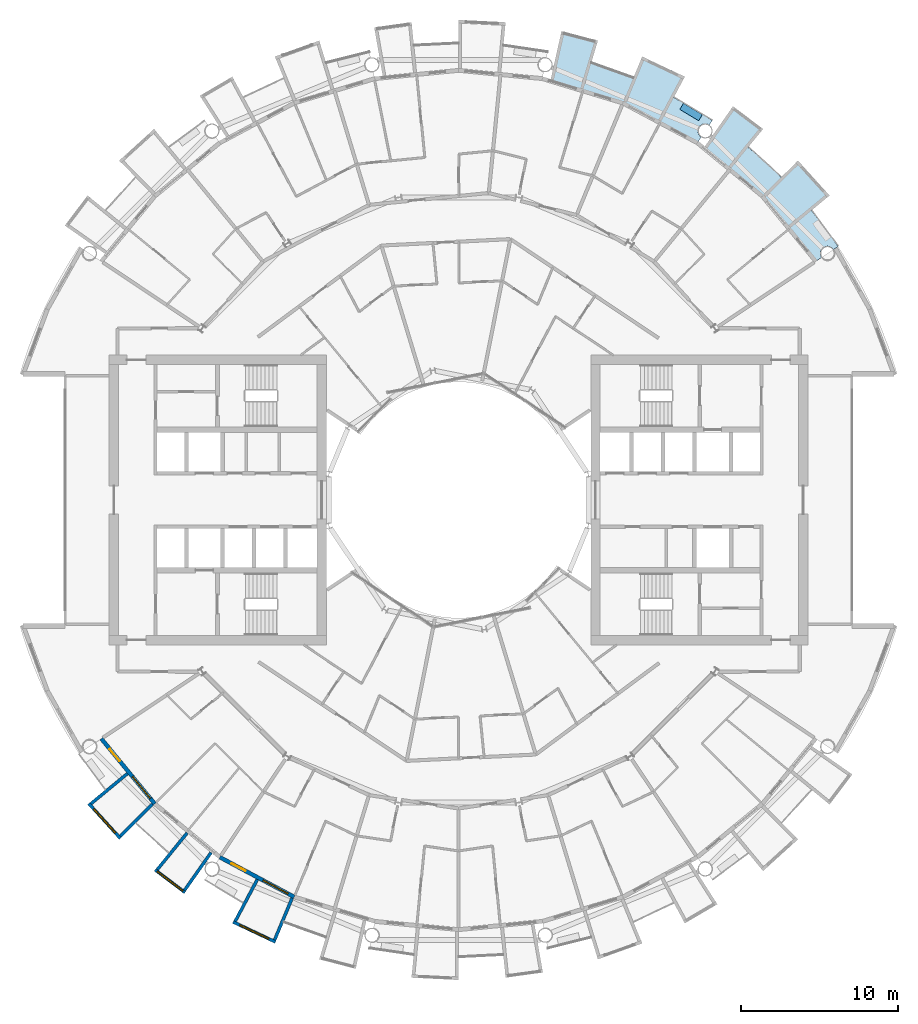
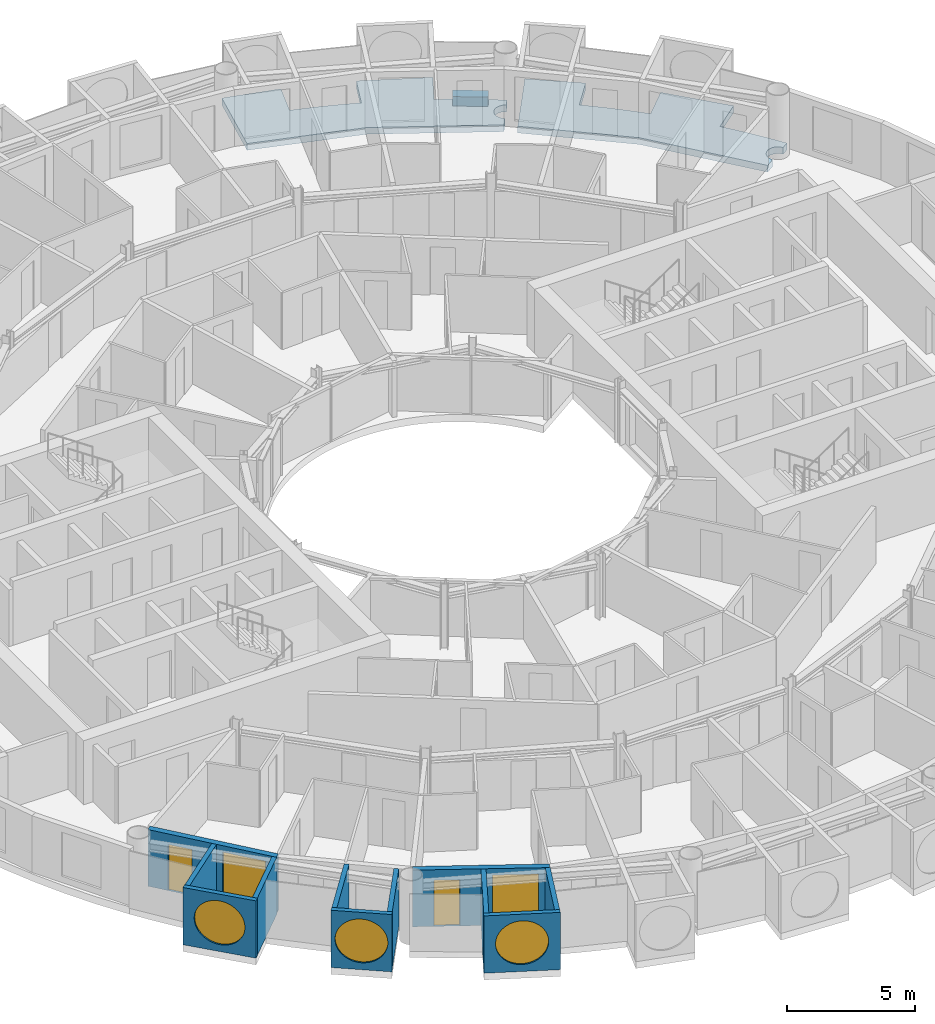
# One storey, part 13 of 27: 11 walls, 5 windows, 3 slabs, 2 doors, 7 openings.
"""IFC4 building model written with IfcOpenShell, lengths in metres."""

import ifcopenshell
import ifcopenshell.guid

model = None  # the IFC model being written
_history = None  # IfcOwnerHistory: only IFC2X3 demands one
_inside = {}  # id of a spatial element -> (the spatial element, [elements in it])
_under = {}  # id of a project, library or spatial element -> (it, [spatial elements below it])
_declared = {}  # id of a project -> (the project, [libraries it declares])
_typed = {}  # id of a type object -> (the type object, [elements of that type])
_made_of = {}  # id of a material, layer set ... -> (it, [elements and type objects made of it])


def new_model(schema):
    """Start an empty IFC model of exactly this schema.

    Asked for "IFC4X3", IfcOpenShell would pick the latest addendum, in which some entities
    have other attributes; the version numbers below select the first issue.
    IFC2X3 requires an IfcOwnerHistory on every rooted entity: one is made here for all.
    """
    global model, _history
    if schema == "IFC4X3":
        model = ifcopenshell.file(schema_version=(4, 3, 0, 0))
    else:
        model = ifcopenshell.file(schema=schema)
    _inside.clear()
    _under.clear()
    _declared.clear()
    _typed.clear()
    _made_of.clear()
    _history = None
    if model.schema == "IFC2X3":
        org = make("IfcOrganization", Name="unknown")
        user = make(
            "IfcPersonAndOrganization",
            ThePerson=make("IfcPerson", FamilyName="unknown"),
            TheOrganization=org,
        )
        app = make(
            "IfcApplication",
            ApplicationDeveloper=org,
            Version="unknown",
            ApplicationFullName="unknown",
            ApplicationIdentifier="unknown",
        )
        _history = make(
            "IfcOwnerHistory",
            OwningUser=user,
            OwningApplication=app,
            ChangeAction="ADDED",
            CreationDate=0,
        )
    return model


def make(cls, **values):
    """One entity of the class cls with the attributes given. An attribute that is None is left unset."""
    return model.create_entity(
        cls, **{name: value for name, value in values.items() if value is not None}
    )


def rooted(cls, **values):
    """An entity with a GlobalId (a new one), such as an element, a storey or a relation."""
    return make(cls, GlobalId=ifcopenshell.guid.new(), OwnerHistory=_history, **values)


def si_unit(unit_type, name, prefix=None):
    """IfcSIUnit, for example si_unit("LENGTHUNIT", "METRE", prefix="MILLI")."""
    return make("IfcSIUnit", UnitType=unit_type, Prefix=prefix, Name=name)


def assignment(units):
    """IfcUnitAssignment: the units of a project."""
    return None if units is None else make("IfcUnitAssignment", Units=units)


def point(xyz):
    """IfcCartesianPoint."""
    return None if xyz is None else make("IfcCartesianPoint", Coordinates=xyz)


def direction(xyz):
    """IfcDirection."""
    return None if xyz is None else make("IfcDirection", DirectionRatios=xyz)


def frame(location, z_axis=None, x_axis=None):
    """IfcAxis2Placement3D, a coordinate frame: its origin and axes. An axis left out is left unset."""
    return make(
        "IfcAxis2Placement3D",
        Location=point(location),
        Axis=direction(z_axis),
        RefDirection=direction(x_axis),
    )


def frame_2d(location, x_axis=None):
    """IfcAxis2Placement2D, a coordinate frame in the plane: its origin and x axis."""
    return make(
        "IfcAxis2Placement2D", Location=point(location), RefDirection=direction(x_axis)
    )


def origin():
    """The frame at (0, 0, 0) with its axes left unset."""
    return frame((0.0, 0.0, 0.0))


def place(relative_to, where):
    """IfcLocalPlacement: puts the frame where relative to a parent placement (None: the world)."""
    return make(
        "IfcLocalPlacement", PlacementRelTo=relative_to, RelativePlacement=where
    )


def context(
    kind, dimensions, precision=None, world=None, true_north=None, identifier=None
):
    """IfcGeometricRepresentationContext, for example the 3D "Model" context."""
    return make(
        "IfcGeometricRepresentationContext",
        ContextIdentifier=identifier,
        ContextType=kind,
        CoordinateSpaceDimension=dimensions,
        Precision=precision,
        WorldCoordinateSystem=world,
        TrueNorth=true_north,
    )


def subcontext(parent, identifier, kind, view, scale=None):
    """IfcGeometricRepresentationSubContext, for example "Body" below "Model"."""
    return make(
        "IfcGeometricRepresentationSubContext",
        ContextIdentifier=identifier,
        ContextType=kind,
        ParentContext=parent,
        TargetScale=scale,
        TargetView=view,
    )


def project(units=None, contexts=None):
    """IfcProject with its units and contexts."""
    return rooted(
        "IfcProject",
        Name="project",
        RepresentationContexts=contexts,
        UnitsInContext=assignment(units),
    )


def spatial(cls, under=None, at=None, **own):
    """A site, building, storey or space (cls), placed at a placement, below another one or the project."""
    s = rooted(cls, ObjectPlacement=at, **own)
    if under is not None:
        _under.setdefault(under.id(), (under, []))[1].append(s)
    return s


def polyline(points):
    """IfcPolyline through the points."""
    return make("IfcPolyline", Points=[point(p) for p in points])


def profile(cls, at=None, kind="AREA", **sizes):
    """A parametric profile (cls). Its sizes go by their IFC names, for example OverallWidth=200.0."""
    return make(cls, ProfileType=kind, Position=at, **sizes)


def rectangle(**sizes):
    """IfcRectangleProfileDef."""
    return profile("IfcRectangleProfileDef", **sizes)


def circle(**sizes):
    """IfcCircleProfileDef."""
    return profile("IfcCircleProfileDef", **sizes)


def outline(outer, holes=None, kind="AREA"):
    """IfcArbitraryClosedProfileDef: a profile drawn as a closed curve; with holes, ...WithVoids."""
    if holes is None:
        return make("IfcArbitraryClosedProfileDef", ProfileType=kind, OuterCurve=outer)
    return make(
        "IfcArbitraryProfileDefWithVoids",
        ProfileType=kind,
        OuterCurve=outer,
        InnerCurves=holes,
    )


def extrude(swept, where, along, depth):
    """IfcExtrudedAreaSolid: the profile swept, set in the frame where, extruded along a direction by depth."""
    return make(
        "IfcExtrudedAreaSolid",
        SweptArea=swept,
        Position=where,
        ExtrudedDirection=direction(along),
        Depth=depth,
    )


def shape(context_of_items, identifier, shape_type, items):
    """IfcShapeRepresentation: the items that make up one representation, for example the "Body"."""
    return make(
        "IfcShapeRepresentation",
        ContextOfItems=context_of_items,
        RepresentationIdentifier=identifier,
        RepresentationType=shape_type,
        Items=items,
    )


def material(Name=None, Category=None):
    """IfcMaterial."""
    return make("IfcMaterial", Name=Name, Category=Category)


def layer(
    of_material, thickness, ventilated=None, Name=None, Category=None, Priority=None
):
    """IfcMaterialLayer: one layer of a wall or slab, of a material (None: an air gap)."""
    return make(
        "IfcMaterialLayer",
        Material=of_material,
        LayerThickness=thickness,
        IsVentilated=ventilated,
        Name=Name,
        Category=Category,
        Priority=Priority,
    )


def layer_set(layers, Name=None):
    """IfcMaterialLayerSet."""
    return make("IfcMaterialLayerSet", MaterialLayers=layers, LayerSetName=Name)


def made_of(thing, what):
    """Note that an element or type object is made of a material, layer set ...; save() writes the relation."""
    if what is not None:
        _made_of.setdefault(what.id(), (what, []))[1].append(thing)
    return thing


def type_object(cls, material=None, **own):
    """A type object (cls), such as IfcWallType, which elements share."""
    return made_of(rooted(cls, **own), material)


def element(
    cls,
    number,
    at=None,
    inside=None,
    cuts=None,
    type_object=None,
    material=None,
    context=None,
    identifier="Body",
    shape_type=None,
    held_by="IfcProductDefinitionShape",
    body=None,
    shapes=None,
    **own,
):
    """One element of the class cls, such as IfcWall. Its Tag is "e" and its number.

    at: its placement. inside: the storey or other place that contains it. cuts: it is an
    opening in that element (IfcRelVoidsElement). A single representation is given by context,
    identifier, shape_type and body (its items); several are given by shapes. held_by: the class
    of the entity that holds the representations. save() writes the other relations.
    """
    e = rooted(cls, Tag="e%d" % number, ObjectPlacement=at, **own)
    if body is not None:
        shapes = [shape(context, identifier, shape_type, body)]
    if shapes is not None:
        e.Representation = make(held_by, Representations=shapes)
    if inside is not None:
        _inside.setdefault(inside.id(), (inside, []))[1].append(e)
    if cuts is not None:
        rooted(
            "IfcRelVoidsElement", RelatingBuildingElement=cuts, RelatedOpeningElement=e
        )
    if type_object is not None:
        _typed.setdefault(type_object.id(), (type_object, []))[1].append(e)
    return made_of(e, material)


def fill(opening, filler):
    """IfcRelFillsElement: the door or window that sits in an opening."""
    return rooted(
        "IfcRelFillsElement",
        RelatingOpeningElement=opening,
        RelatedBuildingElement=filler,
    )


def aggregate(whole, parts):
    """IfcRelAggregates: a whole, such as a stair, and the parts it consists of."""
    return rooted("IfcRelAggregates", RelatingObject=whole, RelatedObjects=parts)


def save(model, path):
    """Write the relations noted so far, then the file.

    IfcRelAggregates (storeys below a building ...), IfcRelContainedInSpatialStructure (elements
    in a storey), IfcRelDefinesByType, IfcRelAssociatesMaterial and IfcRelDeclares: one each for
    every whole, place, type object, material and project.
    """
    for whole, parts in _under.values():
        aggregate(whole, parts)
    for where, things in _inside.values():
        rooted(
            "IfcRelContainedInSpatialStructure",
            RelatedElements=things,
            RelatingStructure=where,
        )
    for kind, things in _typed.values():
        rooted("IfcRelDefinesByType", RelatedObjects=things, RelatingType=kind)
    for what, things in _made_of.values():
        rooted("IfcRelAssociatesMaterial", RelatedObjects=things, RelatingMaterial=what)
    for by, libraries in _declared.values():
        rooted("IfcRelDeclares", RelatingContext=by, RelatedDefinitions=libraries)
    model.write(path)


model = new_model("IFC4")

# Units and contexts
model_context = context("Model", 3, precision=1e-05, world=origin(), true_north=direction((0.0, 1.0)))
body_context = subcontext(model_context, "Body", "Model", "MODEL_VIEW")
ifc_project = project(units=[si_unit("LENGTHUNIT", "METRE"), si_unit("AREAUNIT", "SQUARE_METRE"), si_unit("VOLUMEUNIT", "CUBIC_METRE"), si_unit("PLANEANGLEUNIT", "RADIAN"), si_unit("MASSUNIT", "GRAM", prefix="KILO")], contexts=[model_context])

# Site, building, storey
site_placement = place(None, origin())
site = spatial("IfcSite", under=ifc_project, at=site_placement, CompositionType="ELEMENT")
building_placement = place(site_placement, origin())
building = spatial("IfcBuilding", under=site, at=building_placement, Name="Maasbend Ring Residences", CompositionType="ELEMENT")
storey_placement = place(building_placement, frame((0.0, 0.0, 126.89990234375)))
storey = spatial("IfcBuildingStorey", under=building, at=storey_placement, Name="L36", CompositionType="ELEMENT", Elevation=126.89990234375)

# Slabs
ifc_material_1 = material(Name="Planting with climbing greenery")
ifc_layer_1 = layer(ifc_material_1, 0.449951171875)
ifc_layer_set_1 = layer_set([ifc_layer_1], Name="PLANTER-LG")
slab_type_1 = type_object("IfcSlabType", Name="PLANTER-LG", PredefinedType="USERDEFINED", material=ifc_layer_set_1)
slab_1_placement = place(storey_placement, frame((0.0, 0.0, -0.02978515625)))
element("IfcSlab", 1, at=slab_1_placement, inside=storey, type_object=slab_type_1, Name="Planter with climbing greenery 2", ObjectType="PLANTER", PredefinedType="USERDEFINED", context=body_context, shape_type="SweptSolid", body=[
    extrude(outline(polyline([(15.490966796875, 24.48388671875), (14.291015625, 25.2041015625), (14.05908203125, 24.818115234375), (15.260009765625, 24.097900390625), (15.490966796875, 24.48388671875)])), origin(), (0.0, 0.0, 1.0), 0.449951171875),
])
ifc_material_2 = material(Name="Concrete C40/50", Category="concrete")
ifc_layer_2 = layer(ifc_material_2, 0.199951171875)
ifc_layer_set_2 = layer_set([ifc_layer_2], Name="Concrete C40/50")
slab_type_2 = type_object("IfcSlabType", Name="SL-LOGGIA", PredefinedType="FLOOR", material=ifc_layer_set_2)
slab_2_placement = place(storey_placement, frame((0.0, 0.0, -0.349853515625)))
element("IfcSlab", 2, at=slab_2_placement, inside=storey, type_object=slab_type_2, Name="Loggia floor 1", PredefinedType="FLOOR", context=body_context, shape_type="SweptSolid", body=[
    extrude(outline(polyline([(8.85400390625, 29.18701171875), (8.85400390625, 29.18701171875), (8.85400390625, 29.18701171875), (8.41796875, 27.751953125), (8.41796875, 27.751953125), (8.41796875, 27.751953125), (8.41796875, 27.751953125), (8.41796875, 27.751953125), (8.41796875, 27.751953125), (8.41796875, 27.7509765625), (8.41796875, 27.7509765625), (8.41796875, 27.7509765625), (8.41796875, 27.7509765625), (8.41796875, 27.7509765625), (8.4189453125, 27.7509765625), (8.4189453125, 27.7509765625), (8.4189453125, 27.7509765625), (8.4189453125, 27.7509765625), (8.4189453125, 27.7509765625), (8.4189453125, 27.7509765625), (9.322021484375, 27.4609375), (9.322021484375, 27.4609375), (10.215087890625, 27.14111328125), (10.215087890625, 27.14111328125), (11.096923828125, 26.79296875), (11.096923828125, 26.79296875), (11.096923828125, 26.79296875), (11.097900390625, 26.79296875), (11.097900390625, 26.79296875), (11.097900390625, 26.79296875), (11.097900390625, 26.79296875), (11.097900390625, 26.79296875), (11.097900390625, 26.79296875), (11.097900390625, 26.79296875), (11.097900390625, 26.79296875), (11.097900390625, 26.79296875), (11.097900390625, 26.79296875), (11.097900390625, 26.79296875), (11.097900390625, 26.79296875), (11.097900390625, 26.79296875), (11.097900390625, 26.79296875), (11.672119140625, 28.177978515625), (11.672119140625, 28.177978515625), (11.672119140625, 28.177978515625), (14.3779296875, 26.89892578125), (14.3779296875, 26.89892578125), (14.3779296875, 26.89892578125), (13.6708984375, 25.575927734375), (13.6708984375, 25.575927734375), (13.6708984375, 25.575927734375), (13.6708984375, 25.575927734375), (13.6708984375, 25.575927734375), (13.6708984375, 25.575927734375), (13.6708984375, 25.575927734375), (13.6708984375, 25.575927734375), (13.6708984375, 25.575927734375), (13.6708984375, 25.575927734375), (13.6708984375, 25.575927734375), (13.6708984375, 25.575927734375), (13.6708984375, 25.575927734375), (13.6708984375, 25.575927734375), (13.6708984375, 25.575927734375), (13.6708984375, 25.575927734375), (13.6708984375, 25.574951171875), (14.5, 25.114990234375), (14.5, 25.114990234375), (15.31396484375, 24.626953125), (15.31396484375, 24.626953125), (16.112060546875, 24.113037109375), (16.112060546875, 24.113037109375), (16.112060546875, 24.113037109375), (15.9208984375, 23.826904296875), (15.912109375, 23.8330078125), (15.902099609375, 23.839111328125), (15.89208984375, 23.844970703125), (15.883056640625, 23.85009765625), (15.873046875, 23.85595703125), (15.862060546875, 23.861083984375), (15.85205078125, 23.864990234375), (15.842041015625, 23.8701171875), (15.83203125, 23.8740234375), (15.821044921875, 23.8779296875), (15.81005859375, 23.881103515625), (15.800048828125, 23.885009765625), (15.7890625, 23.887939453125), (15.778076171875, 23.89111328125), (15.76708984375, 23.89306640625), (15.756103515625, 23.89599609375), (15.7451171875, 23.89794921875), (15.73388671875, 23.89892578125), (15.722900390625, 23.90087890625), (15.7119140625, 23.902099609375), (15.700927734375, 23.903076171875), (15.68994140625, 23.904052734375), (15.677978515625, 23.904052734375), (15.6669921875, 23.904052734375), (15.656005859375, 23.904052734375), (15.64501953125, 23.904052734375), (15.633056640625, 23.903076171875), (15.6220703125, 23.902099609375), (15.611083984375, 23.90087890625), (15.60009765625, 23.89892578125), (15.589111328125, 23.89794921875), (15.577880859375, 23.89599609375), (15.56689453125, 23.89306640625), (15.555908203125, 23.89111328125), (15.544921875, 23.887939453125), (15.533935546875, 23.885009765625), (15.52392578125, 23.881103515625), (15.512939453125, 23.8779296875), (15.5029296875, 23.8740234375), (15.491943359375, 23.8701171875), (15.48193359375, 23.864990234375), (15.471923828125, 23.861083984375), (15.4619140625, 23.85595703125), (15.451904296875, 23.85009765625), (15.44189453125, 23.844970703125), (15.431884765625, 23.839111328125), (15.423095703125, 23.8330078125), (15.4130859375, 23.826904296875), (15.404052734375, 23.821044921875), (15.39501953125, 23.81396484375), (15.385986328125, 23.80810546875), (15.376953125, 23.801025390625), (15.368896484375, 23.79296875), (15.360107421875, 23.785888671875), (15.35205078125, 23.778076171875), (15.343994140625, 23.77099609375), (15.3359375, 23.762939453125), (15.327880859375, 23.75390625), (15.321044921875, 23.74609375), (15.31396484375, 23.737060546875), (15.306884765625, 23.72900390625), (15.300048828125, 23.719970703125), (15.29296875, 23.7109375), (15.287109375, 23.700927734375), (15.281005859375, 23.69189453125), (15.27490234375, 23.681884765625), (15.26904296875, 23.673095703125), (15.263916015625, 23.6630859375), (15.259033203125, 23.653076171875), (15.25390625, 23.64306640625), (15.2490234375, 23.633056640625), (15.2451171875, 23.6220703125), (15.240966796875, 23.612060546875), (15.237060546875, 23.60107421875), (15.23291015625, 23.591064453125), (15.22998046875, 23.580078125), (15.22705078125, 23.569091796875), (15.22412109375, 23.55810546875), (15.220947265625, 23.548095703125), (15.218994140625, 23.537109375), (15.217041015625, 23.52587890625), (15.215087890625, 23.513916015625), (15.214111328125, 23.5029296875), (15.2119140625, 23.491943359375), (15.2109375, 23.48095703125), (15.2109375, 23.469970703125), (15.2099609375, 23.458984375), (15.2099609375, 23.447021484375), (15.2099609375, 23.43603515625), (15.2109375, 23.425048828125), (15.2109375, 23.4140625), (15.2119140625, 23.403076171875), (15.214111328125, 23.39111328125), (15.215087890625, 23.3798828125), (15.217041015625, 23.368896484375), (15.218994140625, 23.35791015625), (15.220947265625, 23.346923828125), (15.22412109375, 23.3359375), (15.22705078125, 23.325927734375), (15.22998046875, 23.31494140625), (15.23291015625, 23.303955078125), (15.237060546875, 23.29296875), (15.240966796875, 23.282958984375), (15.2451171875, 23.27294921875), (15.2490234375, 23.261962890625), (15.25390625, 23.251953125), (15.259033203125, 23.241943359375), (15.263916015625, 23.23193359375), (15.26904296875, 23.221923828125), (15.27490234375, 23.2119140625), (15.281005859375, 23.202880859375), (15.287109375, 23.194091796875), (15.29296875, 23.18408203125), (15.300048828125, 23.175048828125), (15.306884765625, 23.166015625), (15.31396484375, 23.156982421875), (15.321044921875, 23.14892578125), (15.327880859375, 23.139892578125), (15.3359375, 23.132080078125), (15.343994140625, 23.1240234375), (15.35205078125, 23.115966796875), (15.360107421875, 23.10888671875), (15.368896484375, 23.10107421875), (15.376953125, 23.093994140625), (15.385986328125, 23.0869140625), (15.39501953125, 23.080078125), (15.404052734375, 23.073974609375), (15.4130859375, 23.06689453125), (15.1669921875, 22.698974609375), (15.1669921875, 22.698974609375), (15.1669921875, 22.698974609375), (12.806884765625, 23.9609375), (10.447021484375, 25.221923828125), (10.447021484375, 25.221923828125), (10.447021484375, 25.221923828125), (7.886962890625, 25.9990234375), (5.843994140625, 26.617919921875), (5.843994140625, 26.617919921875), (5.843994140625, 26.617919921875), (6.5400390625, 29.791015625), (6.5400390625, 29.791015625), (6.5400390625, 29.791015625), (8.85400390625, 29.18701171875)])), origin(), (0.0, 0.0, 1.0), 0.320068359375),
])
slab_3_placement = place(storey_placement, frame((0.0, 0.0, -0.349853515625)))
element("IfcSlab", 3, at=slab_3_placement, inside=storey, type_object=slab_type_2, Name="Loggia floor 4", PredefinedType="FLOOR", context=body_context, shape_type="SweptSolid", body=[
    extrude(outline(polyline([(19.34912109375, 23.576904296875), (19.34912109375, 23.576904296875), (19.34912109375, 23.576904296875), (18.39794921875, 22.41796875), (18.39794921875, 22.41796875), (18.39794921875, 22.41796875), (18.39794921875, 22.41796875), (18.39794921875, 22.41796875), (18.39794921875, 22.4169921875), (18.39794921875, 22.4169921875), (18.39794921875, 22.4169921875), (18.39794921875, 22.4169921875), (18.39794921875, 22.4169921875), (18.39794921875, 22.4169921875), (18.39794921875, 22.4169921875), (18.39794921875, 22.4169921875), (18.39794921875, 22.4169921875), (18.39794921875, 22.4169921875), (18.39794921875, 22.4169921875), (18.39794921875, 22.4169921875), (19.12109375, 21.802978515625), (19.12109375, 21.802978515625), (19.823974609375, 21.166015625), (19.823974609375, 21.166015625), (20.506103515625, 20.506103515625), (20.506103515625, 20.506103515625), (20.506103515625, 20.506103515625), (20.506103515625, 20.506103515625), (20.506103515625, 20.506103515625), (20.506103515625, 20.506103515625), (20.506103515625, 20.506103515625), (20.506103515625, 20.506103515625), (20.506103515625, 20.506103515625), (20.506103515625, 20.506103515625), (20.506103515625, 20.506103515625), (20.506103515625, 20.506103515625), (20.506103515625, 20.506103515625), (20.506103515625, 20.506103515625), (20.506103515625, 20.506103515625), (20.506103515625, 20.506103515625), (20.506103515625, 20.506103515625), (21.56689453125, 21.56689453125), (21.56689453125, 21.56689453125), (21.56689453125, 21.56689453125), (23.576904296875, 19.34912109375), (23.576904296875, 19.34912109375), (23.576904296875, 19.34912109375), (22.41796875, 18.39794921875), (22.41796875, 18.39794921875), (22.41796875, 18.39794921875), (22.41796875, 18.39794921875), (22.41796875, 18.39794921875), (22.41796875, 18.39794921875), (22.41796875, 18.39697265625), (22.41796875, 18.39697265625), (22.41796875, 18.39697265625), (22.41796875, 18.39697265625), (22.41796875, 18.39697265625), (22.41796875, 18.39697265625), (22.41796875, 18.39697265625), (22.41796875, 18.39697265625), (22.41796875, 18.39697265625), (22.41796875, 18.39697265625), (22.41796875, 18.39697265625), (23.007080078125, 17.654052734375), (23.007080078125, 17.654052734375), (23.572998046875, 16.89208984375), (23.572998046875, 16.89208984375), (24.113037109375, 16.112060546875), (24.113037109375, 16.112060546875), (24.113037109375, 16.112060546875), (23.826904296875, 15.9208984375), (23.826904296875, 15.9208984375), (23.821044921875, 15.929931640625), (23.81396484375, 15.93896484375), (23.80810546875, 15.947998046875), (23.801025390625, 15.95703125), (23.79296875, 15.966064453125), (23.785888671875, 15.97412109375), (23.778076171875, 15.98193359375), (23.77099609375, 15.989990234375), (23.762939453125, 15.998046875), (23.75390625, 16.006103515625), (23.74609375, 16.012939453125), (23.737060546875, 16.02001953125), (23.72900390625, 16.027099609375), (23.719970703125, 16.033935546875), (23.7109375, 16.041015625), (23.700927734375, 16.047119140625), (23.69189453125, 16.052978515625), (23.681884765625, 16.05908203125), (23.673095703125, 16.06494140625), (23.6630859375, 16.070068359375), (23.653076171875, 16.074951171875), (23.64306640625, 16.080078125), (23.633056640625, 16.0849609375), (23.6220703125, 16.089111328125), (23.612060546875, 16.093017578125), (23.60107421875, 16.096923828125), (23.591064453125, 16.10107421875), (23.580078125, 16.10400390625), (23.569091796875, 16.10791015625), (23.55810546875, 16.110107421875), (23.548095703125, 16.113037109375), (23.537109375, 16.114990234375), (23.52587890625, 16.116943359375), (23.513916015625, 16.118896484375), (23.5029296875, 16.12109375), (23.491943359375, 16.1220703125), (23.48095703125, 16.123046875), (23.469970703125, 16.1240234375), (23.458984375, 16.1240234375), (23.447021484375, 16.1240234375), (23.43603515625, 16.1240234375), (23.425048828125, 16.1240234375), (23.4140625, 16.123046875), (23.403076171875, 16.1220703125), (23.39111328125, 16.12109375), (23.3798828125, 16.118896484375), (23.368896484375, 16.116943359375), (23.35791015625, 16.114990234375), (23.346923828125, 16.113037109375), (23.3359375, 16.110107421875), (23.325927734375, 16.10791015625), (23.31494140625, 16.10400390625), (23.303955078125, 16.10107421875), (23.29296875, 16.096923828125), (23.282958984375, 16.093017578125), (23.27294921875, 16.089111328125), (23.261962890625, 16.0849609375), (23.251953125, 16.080078125), (23.241943359375, 16.074951171875), (23.23193359375, 16.070068359375), (23.221923828125, 16.06494140625), (23.2119140625, 16.05908203125), (23.202880859375, 16.052978515625), (23.194091796875, 16.047119140625), (23.18408203125, 16.041015625), (23.175048828125, 16.033935546875), (23.166015625, 16.027099609375), (23.156982421875, 16.02001953125), (23.14892578125, 16.012939453125), (23.139892578125, 16.006103515625), (23.132080078125, 15.998046875), (23.1240234375, 15.989990234375), (23.115966796875, 15.98193359375), (23.10888671875, 15.97412109375), (23.10107421875, 15.966064453125), (23.093994140625, 15.95703125), (23.0869140625, 15.947998046875), (23.080078125, 15.93896484375), (23.073974609375, 15.929931640625), (23.06689453125, 15.9208984375), (23.06103515625, 15.912109375), (23.054931640625, 15.902099609375), (23.050048828125, 15.89208984375), (23.0439453125, 15.883056640625), (23.0390625, 15.873046875), (23.033935546875, 15.862060546875), (23.030029296875, 15.85205078125), (23.02490234375, 15.842041015625), (23.02099609375, 15.83203125), (23.01708984375, 15.821044921875), (23.012939453125, 15.81005859375), (23.010009765625, 15.800048828125), (23.007080078125, 15.7890625), (23.00390625, 15.778076171875), (23.001953125, 15.76708984375), (22.9990234375, 15.756103515625), (22.9970703125, 15.7451171875), (22.9951171875, 15.73388671875), (22.993896484375, 15.722900390625), (22.992919921875, 15.7119140625), (22.991943359375, 15.700927734375), (22.990966796875, 15.68994140625), (22.990966796875, 15.677978515625), (22.989990234375, 15.6669921875), (22.990966796875, 15.656005859375), (22.990966796875, 15.64501953125), (22.991943359375, 15.633056640625), (22.992919921875, 15.6220703125), (22.993896484375, 15.611083984375), (22.9951171875, 15.60009765625), (22.9970703125, 15.589111328125), (22.9990234375, 15.577880859375), (23.001953125, 15.56689453125), (23.00390625, 15.555908203125), (23.007080078125, 15.544921875), (23.010009765625, 15.533935546875), (23.012939453125, 15.52392578125), (23.01708984375, 15.512939453125), (23.02099609375, 15.5029296875), (23.02490234375, 15.491943359375), (23.030029296875, 15.48193359375), (23.033935546875, 15.471923828125), (23.0390625, 15.4619140625), (23.0439453125, 15.451904296875), (23.050048828125, 15.44189453125), (23.054931640625, 15.431884765625), (23.06103515625, 15.423095703125), (23.06689453125, 15.4130859375), (23.06689453125, 15.4130859375), (22.698974609375, 15.1669921875), (22.698974609375, 15.1669921875), (22.698974609375, 15.1669921875), (21.001953125, 17.236083984375), (19.303955078125, 19.303955078125), (19.303955078125, 19.303955078125), (19.303955078125, 19.303955078125), (17.236083984375, 21.001953125), (15.5849609375, 22.35595703125), (15.5849609375, 22.35595703125), (15.5849609375, 22.35595703125), (17.44189453125, 25.02001953125), (17.44189453125, 25.02001953125), (17.44189453125, 25.02001953125), (19.34912109375, 23.576904296875)])), origin(), (0.0, 0.0, 1.0), 0.320068359375),
])

# Wall, opening, window
ifc_material_3 = material(Name="Pale anodised aluminium panel", Category="aluminium")
ifc_layer_3 = layer(ifc_material_3, 0.199951171875)
ifc_layer_set_3 = layer_set([ifc_layer_3], Name="EW-BOX")
wall_type_1 = type_object("IfcWallType", Name="EW-BOX", PredefinedType="SOLIDWALL", material=ifc_layer_set_3)
wall_1_placement = place(storey_placement, frame((-23.5029296875, -19.281982421875, -0.02978515625), z_axis=(0.0, 0.0, 1.0), x_axis=(0.671506829416, -0.740998365753, 0.0)))
wall_1 = element("IfcWall", 4, at=wall_1_placement, inside=storey, type_object=wall_type_1, Name="Box front S02", PredefinedType="SOLIDWALL", context=body_context, shape_type="SweptSolid", body=[
    extrude(rectangle(XDim=2.9931640625, YDim=0.199951171875, at=frame_2d((1.49658203125, 0.0))), origin(), (0.0, 0.0, 1.0), 2.72998046875),
])
opening_1_placement = place(wall_1_placement, frame((0.45654296875, 0.0, 0.330078125)))
opening_1 = element("IfcOpeningElement", 5, at=opening_1_placement, cuts=wall_1, Name="Opening W-RD", PredefinedType="OPENING", context=body_context, shape_type="SweptSolid", body=[
    extrude(circle(Radius=1.0400390625, at=frame_2d((1.0400390625, 1.0400390625))), frame((0.0, 0.10986328125, 0.0), z_axis=(0.0, -1.0, 0.0), x_axis=(1.0, 0.0, 0.0)), (0.0, 0.0, 1.0), 0.219970703125),
])
ifc_material_4 = material(Name="Aluminium and clear glass", Category="aluminium")
window_type_1 = type_object("IfcWindowType", Name="W-RD", PartitioningType="SINGLE_PANEL", PredefinedType="WINDOW", material=ifc_material_4)
window_1_placement = place(opening_1_placement, origin())
window_1 = element("IfcWindow", 6, at=window_1_placement, inside=storey, type_object=window_type_1, Name="Round window S02", OverallHeight=2.080078125, OverallWidth=2.080078125, PartitioningType="SINGLE_PANEL", PredefinedType="WINDOW", context=body_context, shape_type="SweptSolid", body=[
    extrude(circle(Radius=1.0400390625, at=frame_2d((1.0400390625, 1.0400390625))), frame((0.0, 0.030029296875, 0.0), z_axis=(0.0, -1.0, 0.0), x_axis=(1.0, 0.0, 0.0)), (0.0, 0.0, 1.0), 0.06005859375),
])
fill(opening_1, window_1)

# Walls
wall_2_placement = place(storey_placement, frame((-21.041015625, -17.384033203125, -0.02978515625), z_axis=(0.0, 0.0, 1.0), x_axis=(-0.770784861449, -0.63709551667, 0.0)))
element("IfcWall", 7, at=wall_2_placement, inside=storey, type_object=wall_type_1, Name="Box side wall S02 left", PredefinedType="SOLIDWALL", context=body_context, shape_type="SweptSolid", body=[
    extrude(rectangle(XDim=3.005859375, YDim=0.199951171875, at=frame_2d((1.5029296875, 0.0))), origin(), (0.0, 0.0, 1.0), 2.72998046875),
])
wall_3_placement = place(storey_placement, frame((-19.449951171875, -19.322998046875, -0.02978515625), z_axis=(0.0, 0.0, 1.0), x_axis=(-0.709727076896, -0.704476739375, 0.0)))
element("IfcWall", 8, at=wall_3_placement, inside=storey, type_object=wall_type_1, Name="Box side wall S02 right", PredefinedType="SOLIDWALL", context=body_context, shape_type="SweptSolid", body=[
    extrude(rectangle(XDim=2.883056640625, YDim=0.199951171875, at=frame_2d((1.44140625, 0.0))), origin(), (0.0, 0.0, 1.0), 2.72998046875),
])

# Wall, opening, window
wall_4_placement = place(storey_placement, frame((-19.2890625, -23.4970703125, -0.02978515625), z_axis=(0.0, 0.0, 1.0), x_axis=(0.797456837111, -0.603375996329, 0.0)))
wall_4 = element("IfcWall", 9, at=wall_4_placement, inside=storey, type_object=wall_type_1, Name="Box front S04", PredefinedType="SOLIDWALL", context=body_context, shape_type="SweptSolid", body=[
    extrude(rectangle(XDim=2.391357421875, YDim=0.199951171875, at=frame_2d((1.19580078125, 0.0))), origin(), (0.0, 0.0, 1.0), 2.72998046875),
])
opening_2_placement = place(wall_4_placement, frame((0.15576171875, 0.0, 0.330078125)))
opening_2 = element("IfcOpeningElement", 10, at=opening_2_placement, cuts=wall_4, Name="Opening W-RD", PredefinedType="OPENING", context=body_context, shape_type="SweptSolid", body=[
    extrude(circle(Radius=1.0400390625, at=frame_2d((1.0400390625, 1.0400390625))), frame((0.0, 0.10986328125, 0.0), z_axis=(0.0, -1.0, 0.0), x_axis=(1.0, 0.0, 0.0)), (0.0, 0.0, 1.0), 0.219970703125),
])
window_2_placement = place(opening_2_placement, origin())
window_2 = element("IfcWindow", 11, at=window_2_placement, inside=storey, type_object=window_type_1, Name="Round window S04", OverallHeight=2.080078125, OverallWidth=2.080078125, PartitioningType="SINGLE_PANEL", PredefinedType="WINDOW", context=body_context, shape_type="SweptSolid", body=[
    extrude(circle(Radius=1.0400390625, at=frame_2d((1.0400390625, 1.0400390625))), frame((0.0, 0.030029296875, 0.0), z_axis=(0.0, -1.0, 0.0), x_axis=(1.0, 0.0, 0.0)), (0.0, 0.0, 1.0), 0.06005859375),
])
fill(opening_2, window_2)

# Walls
wall_5_placement = place(storey_placement, frame((-17.24609375, -21.155029296875, -0.02978515625), z_axis=(0.0, 0.0, 1.0), x_axis=(-0.631741648902, -0.775179004516, 0.0)))
element("IfcWall", 12, at=wall_5_placement, inside=storey, type_object=wall_type_1, Name="Box side wall S04 left", PredefinedType="SOLIDWALL", context=body_context, shape_type="SweptSolid", body=[
    extrude(rectangle(XDim=3.005859375, YDim=0.199951171875, at=frame_2d((1.5029296875, 0.0))), origin(), (0.0, 0.0, 1.0), 2.72998046875),
])
wall_6_placement = place(storey_placement, frame((-15.72607421875, -22.402099609375, -0.02978515625), z_axis=(0.0, 0.0, 1.0), x_axis=(-0.574826383135, -0.818275399393, 0.0)))
element("IfcWall", 13, at=wall_6_placement, inside=storey, type_object=wall_type_1, Name="Box side wall S04 right", PredefinedType="SOLIDWALL", context=body_context, shape_type="SweptSolid", body=[
    extrude(rectangle(XDim=2.92919921875, YDim=0.199951171875, at=frame_2d((1.464599609375, 0.0))), origin(), (0.0, 0.0, 1.0), 2.72998046875),
])

# Wall, opening, window
wall_7_placement = place(storey_placement, frame((-14.3349609375, -26.80810546875, -0.02978515625), z_axis=(0.0, 0.0, 1.0), x_axis=(0.904000060331, -0.427532327342, 0.0)))
wall_7 = element("IfcWall", 14, at=wall_7_placement, inside=storey, type_object=wall_type_1, Name="Box front S06", PredefinedType="SOLIDWALL", context=body_context, shape_type="SweptSolid", body=[
    extrude(rectangle(XDim=2.993408203125, YDim=0.199951171875, at=frame_2d((1.49658203125, 0.0))), origin(), (0.0, 0.0, 1.0), 2.72998046875),
])
opening_3_placement = place(wall_7_placement, frame((0.45654296875, 0.0, 0.330078125)))
opening_3 = element("IfcOpeningElement", 15, at=opening_3_placement, cuts=wall_7, Name="Opening W-RD", PredefinedType="OPENING", context=body_context, shape_type="SweptSolid", body=[
    extrude(circle(Radius=1.0400390625, at=frame_2d((1.0400390625, 1.0400390625))), frame((0.0, 0.10986328125, 0.0), z_axis=(0.0, -1.0, 0.0), x_axis=(1.0, 0.0, 0.0)), (0.0, 0.0, 1.0), 0.219970703125),
])
window_3_placement = place(opening_3_placement, origin())
window_3 = element("IfcWindow", 16, at=window_3_placement, inside=storey, type_object=window_type_1, Name="Round window S06", OverallHeight=2.080078125, OverallWidth=2.080078125, PartitioningType="SINGLE_PANEL", PredefinedType="WINDOW", context=body_context, shape_type="SweptSolid", body=[
    extrude(circle(Radius=1.0400390625, at=frame_2d((1.0400390625, 1.0400390625))), frame((0.0, 0.030029296875, 0.0), z_axis=(0.0, -1.0, 0.0), x_axis=(1.0, 0.0, 0.0)), (0.0, 0.0, 1.0), 0.06005859375),
])
fill(opening_3, window_3)

# Walls
wall_8_placement = place(storey_placement, frame((-12.787109375, -24.113037109375, -0.02978515625), z_axis=(0.0, 0.0, 1.0), x_axis=(-0.468365282436, -0.883534924159, 0.0)))
element("IfcWall", 17, at=wall_8_placement, inside=storey, type_object=wall_type_1, Name="Box side wall S06 left", PredefinedType="SOLIDWALL", context=body_context, shape_type="SweptSolid", body=[
    extrude(rectangle(XDim=3.006103515625, YDim=0.199951171875, at=frame_2d((1.5029296875, 0.0))), origin(), (0.0, 0.0, 1.0), 2.72998046875),
])
wall_9_placement = place(storey_placement, frame((-10.574951171875, -25.294921875, -0.02978515625), z_axis=(0.0, 0.0, 1.0), x_axis=(-0.385697364644, -0.922625353492, 0.0)))
element("IfcWall", 18, at=wall_9_placement, inside=storey, type_object=wall_type_1, Name="Box side wall S06 right", PredefinedType="SOLIDWALL", context=body_context, shape_type="SweptSolid", body=[
    extrude(rectangle(XDim=2.88330078125, YDim=0.199951171875, at=frame_2d((1.441650390625, 0.0))), origin(), (0.0, 0.0, 1.0), 2.72998046875),
])

# Wall, openings, door, window
ifc_material_5 = material(Name="Aluminium clad insulated panel", Category="aluminium")
ifc_layer_4 = layer(ifc_material_5, 0.25)
ifc_layer_set_4 = layer_set([ifc_layer_4], Name="EW-GL")
wall_type_2 = type_object("IfcWallType", Name="EW-GL", PredefinedType="SOLIDWALL", material=ifc_layer_set_4)
wall_10_placement = place(storey_placement, frame((-22.698974609375, -15.1669921875, 0.0), z_axis=(0.0, 0.0, 1.0), x_axis=(0.634382322723, -0.773019449054, 0.0)))
wall_10 = element("IfcWall", 19, at=wall_10_placement, inside=storey, type_object=wall_type_2, Name="External wall S01", PredefinedType="SOLIDWALL", context=body_context, shape_type="SweptSolid", body=[
    extrude(rectangle(XDim=5.351806640625, YDim=0.25, at=frame_2d((2.67578125, 0.0))), origin(), (0.0, 0.0, 1.0), 2.7001953125),
])
opening_4_placement = place(wall_10_placement, frame((0.841064453125, 0.0, 0.0)))
opening_4 = element("IfcOpeningElement", 20, at=opening_4_placement, cuts=wall_10, Name="Opening D-LG", PredefinedType="OPENING", context=body_context, shape_type="SweptSolid", body=[
    extrude(rectangle(XDim=1.0, YDim=2.199951171875, at=frame_2d((0.5, 1.10009765625))), frame((0.0, 0.135009765625, 0.0), z_axis=(0.0, -1.0, 0.0), x_axis=(1.0, 0.0, 0.0)), (0.0, 0.0, 1.0), 0.27001953125),
])
opening_5_placement = place(wall_10_placement, frame((3.110595703125, 0.0, 0.300048828125)))
opening_5 = element("IfcOpeningElement", 21, at=opening_5_placement, cuts=wall_10, Name="Opening W-BX", PredefinedType="OPENING", context=body_context, shape_type="SweptSolid", body=[
    extrude(rectangle(XDim=1.800048828125, YDim=2.10009765625, at=frame_2d((0.89990234375, 1.050048828125))), frame((0.0, 0.135009765625, 0.0), z_axis=(0.0, -1.0, 0.0), x_axis=(1.0, 0.0, 0.0)), (0.0, 0.0, 1.0), 0.27001953125),
])
ifc_material_6 = material(Name="Aluminium and clear glass", Category="aluminium")
door_type = type_object("IfcDoorType", Name="D-LG", OperationType="SINGLE_SWING_LEFT", PredefinedType="DOOR", material=ifc_material_6)
door_1_placement = place(opening_4_placement, origin())
door_1 = element("IfcDoor", 22, at=door_1_placement, inside=storey, type_object=door_type, Name="Loggia door S01", OperationType="SINGLE_SWING_LEFT", OverallHeight=2.199951171875, OverallWidth=1.0, PredefinedType="DOOR", context=body_context, shape_type="SweptSolid", body=[
    extrude(rectangle(XDim=1.0, YDim=2.199951171875, at=frame_2d((0.5, 1.10009765625))), frame((0.0, 0.02490234375, 0.0), z_axis=(0.0, -1.0, 0.0), x_axis=(1.0, 0.0, 0.0)), (0.0, 0.0, 1.0), 0.050048828125),
])
fill(opening_4, door_1)
ifc_material_7 = material(Name="Aluminium and clear glass", Category="aluminium")
window_type_2 = type_object("IfcWindowType", Name="W-BX", PartitioningType="DOUBLE_PANEL_VERTICAL", PredefinedType="WINDOW", material=ifc_material_7)
window_4_placement = place(opening_5_placement, origin())
window_4 = element("IfcWindow", 23, at=window_4_placement, inside=storey, type_object=window_type_2, Name="Window S02 room to box", OverallHeight=2.10009765625, OverallWidth=1.800048828125, PartitioningType="SINGLE_PANEL", PredefinedType="WINDOW", context=body_context, shape_type="SweptSolid", body=[
    extrude(rectangle(XDim=1.800048828125, YDim=2.10009765625, at=frame_2d((0.89990234375, 1.050048828125))), frame((0.0, 0.030029296875, 0.0), z_axis=(0.0, -1.0, 0.0), x_axis=(1.0, 0.0, 0.0)), (0.0, 0.0, 1.0), 0.06005859375),
])
fill(opening_5, window_4)

wall_11_placement = place(storey_placement, frame((-15.1669921875, -22.698974609375, 0.0), z_axis=(0.0, 0.0, 1.0), x_axis=(0.881915646801, -0.471407246368, 0.0)))
wall_11 = element("IfcWall", 24, at=wall_11_placement, inside=storey, type_object=wall_type_2, Name="External wall S03", PredefinedType="SOLIDWALL", context=body_context, shape_type="SweptSolid", body=[
    extrude(rectangle(XDim=5.35205078125, YDim=0.25, at=frame_2d((2.676025390625, 0.0))), origin(), (0.0, 0.0, 1.0), 2.7001953125),
])
opening_6_placement = place(wall_11_placement, frame((0.841064453125, 0.0, 0.0)))
opening_6 = element("IfcOpeningElement", 25, at=opening_6_placement, cuts=wall_11, Name="Opening D-LG", PredefinedType="OPENING", context=body_context, shape_type="SweptSolid", body=[
    extrude(rectangle(XDim=1.0, YDim=2.199951171875, at=frame_2d((0.5, 1.10009765625))), frame((0.0, 0.135009765625, 0.0), z_axis=(0.0, -1.0, 0.0), x_axis=(1.0, 0.0, 0.0)), (0.0, 0.0, 1.0), 0.27001953125),
])
opening_7_placement = place(wall_11_placement, frame((3.110595703125, 0.0, 0.300048828125)))
opening_7 = element("IfcOpeningElement", 26, at=opening_7_placement, cuts=wall_11, Name="Opening W-BX", PredefinedType="OPENING", context=body_context, shape_type="SweptSolid", body=[
    extrude(rectangle(XDim=1.800048828125, YDim=2.10009765625, at=frame_2d((0.89990234375, 1.050048828125))), frame((0.0, 0.135009765625, 0.0), z_axis=(0.0, -1.0, 0.0), x_axis=(1.0, 0.0, 0.0)), (0.0, 0.0, 1.0), 0.27001953125),
])
door_2_placement = place(opening_6_placement, origin())
door_2 = element("IfcDoor", 27, at=door_2_placement, inside=storey, type_object=door_type, Name="Loggia door S05", OperationType="SINGLE_SWING_LEFT", OverallHeight=2.199951171875, OverallWidth=1.0, PredefinedType="DOOR", context=body_context, shape_type="SweptSolid", body=[
    extrude(rectangle(XDim=1.0, YDim=2.199951171875, at=frame_2d((0.5, 1.10009765625))), frame((0.0, 0.02490234375, 0.0), z_axis=(0.0, -1.0, 0.0), x_axis=(1.0, 0.0, 0.0)), (0.0, 0.0, 1.0), 0.050048828125),
])
fill(opening_6, door_2)
window_5_placement = place(opening_7_placement, origin())
window_5 = element("IfcWindow", 28, at=window_5_placement, inside=storey, type_object=window_type_2, Name="Window S06 room to box", OverallHeight=2.10009765625, OverallWidth=1.800048828125, PartitioningType="SINGLE_PANEL", PredefinedType="WINDOW", context=body_context, shape_type="SweptSolid", body=[
    extrude(rectangle(XDim=1.800048828125, YDim=2.10009765625, at=frame_2d((0.89990234375, 1.050048828125))), frame((0.0, 0.030029296875, 0.0), z_axis=(0.0, -1.0, 0.0), x_axis=(1.0, 0.0, 0.0)), (0.0, 0.0, 1.0), 0.06005859375),
])
fill(opening_7, window_5)

save(model, "model.ifc")
